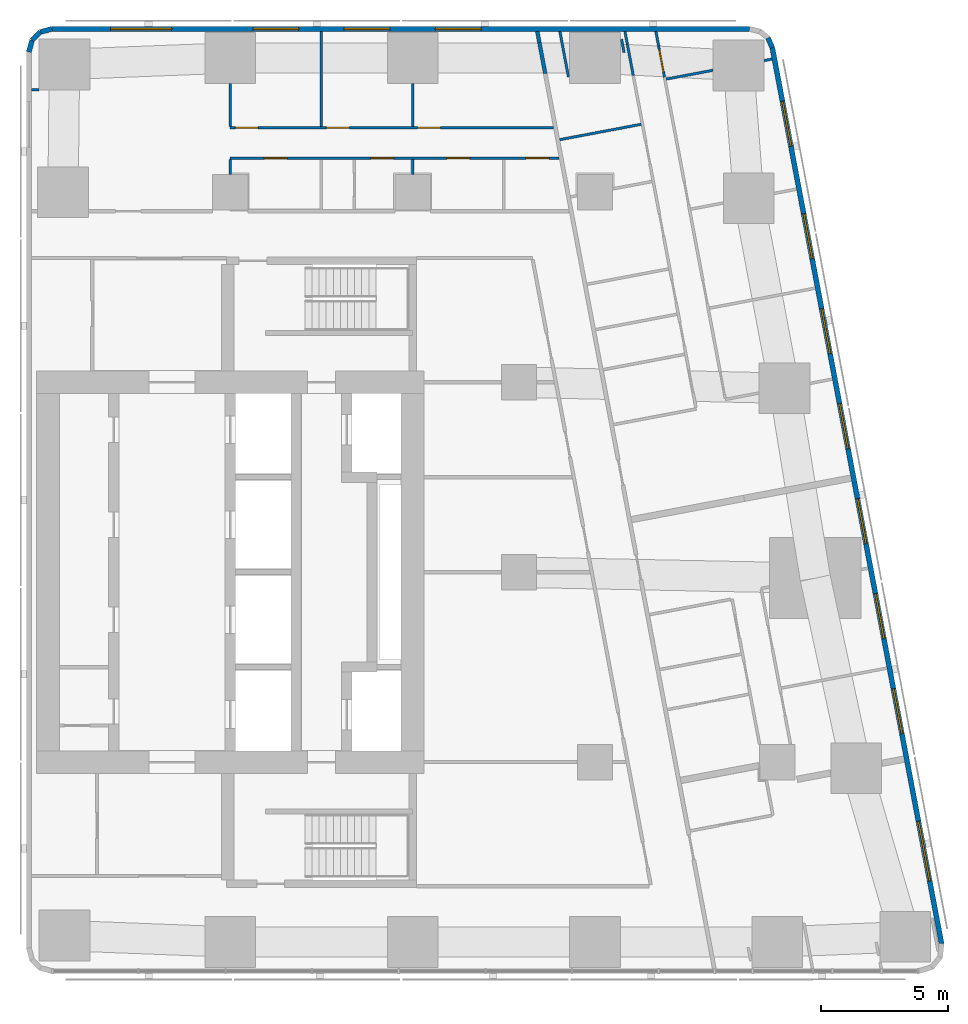
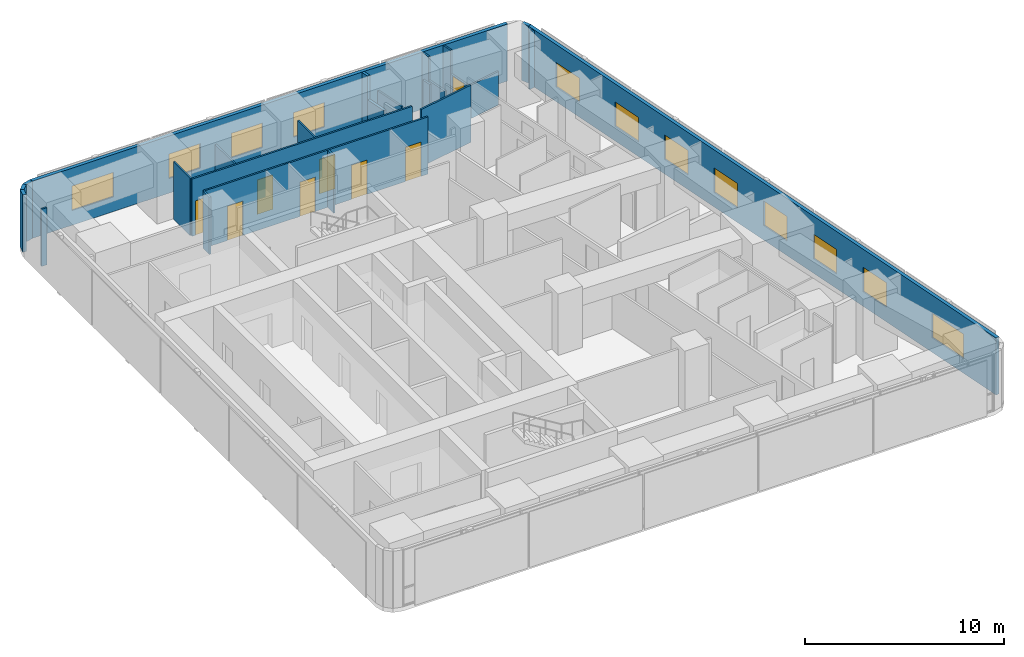
# One storey, part 8 of 11: 25 walls, 12 windows, 8 doors, 20 openings.
"""IFC4 building model written with IfcOpenShell, lengths in metres."""

from ifc_helpers import new_model, si_unit, direction, frame, frame_2d, origin, place, context, subcontext, project, spatial, rectangle, extrude, material, layer, layer_set, type_object, element, fill, save


model = new_model("IFC4")

# Units and contexts
model_context = context("Model", 3, precision=1e-05, world=origin(), true_north=direction((0.0, 1.0)))
body_context = subcontext(model_context, "Body", "Model", "MODEL_VIEW")
ifc_project = project(units=[si_unit("LENGTHUNIT", "METRE"), si_unit("AREAUNIT", "SQUARE_METRE"), si_unit("VOLUMEUNIT", "CUBIC_METRE"), si_unit("PLANEANGLEUNIT", "RADIAN"), si_unit("MASSUNIT", "GRAM", prefix="KILO")], contexts=[model_context])

# Site, building, storey
site_placement = place(None, origin())
site = spatial("IfcSite", under=ifc_project, at=site_placement, CompositionType="ELEMENT")
building_placement = place(site_placement, origin())
building = spatial("IfcBuilding", under=site, at=building_placement, Name="Sheger Commons Tower", CompositionType="ELEMENT")
storey_placement = place(building_placement, frame((0.0, 0.0, 262.85009765625)))
storey = spatial("IfcBuildingStorey", under=building, at=storey_placement, Name="L67", CompositionType="ELEMENT", Elevation=262.85009765625)

# Walls
ifc_material_1 = material(Name="Hollow concrete block masonry, skimmed both sides", Category="masonry")
ifc_layer_1 = layer(ifc_material_1, 0.14990234375)
ifc_layer_set_1 = layer_set([ifc_layer_1], Name="CORRIDOR WALL 150")
wall_type_1 = type_object("IfcWallType", Name="CORRIDOR WALL 150", PredefinedType="SOLIDWALL", material=ifc_layer_set_1)
wall_1_placement = place(storey_placement, frame((33.721923828125, 43.85009765625, 0.0), z_axis=(0.0, 0.0, 1.0), x_axis=(0.184886516626, -0.982759877066, 0.0)))
element("IfcWall", 1, at=wall_1_placement, inside=storey, type_object=wall_type_1, Name="Corridor wall L67", PredefinedType="SOLIDWALL", context=body_context, shape_type="SweptSolid", body=[
    extrude(rectangle(XDim=0.443603515625, YDim=0.14990234375, at=frame_2d((0.2216796875, 0.0))), origin(), (0.0, 0.0, 1.0), 3.5),
])
wall_2_placement = place(storey_placement, frame((33.803955078125, 43.4140625, 0.0), z_axis=(0.0, 0.0, 1.0), x_axis=(0.185585816539, -0.982628060204, 0.0)))
element("IfcWall", 2, at=wall_2_placement, inside=storey, type_object=wall_type_1, Name="Corridor wall L67", PredefinedType="SOLIDWALL", context=body_context, shape_type="SweptSolid", body=[
    extrude(rectangle(XDim=1.249755859375, YDim=0.14990234375, at=frame_2d((0.625, 0.0))), origin(), (0.0, 0.0, 1.0), 2.0498046875),
])

# Wall, openings, windows
ifc_material_2 = material(Name="Rendered concrete block masonry, dark grey", Category="masonry")
ifc_layer_2 = layer(ifc_material_2, 0.199951171875)
ifc_layer_set_2 = layer_set([ifc_layer_2], Name="FACADE WALL 200")
wall_type_2 = type_object("IfcWallType", Name="FACADE WALL 200", PredefinedType="SOLIDWALL", material=ifc_layer_set_2)
wall_3_placement = place(storey_placement, frame((49.68408203125, 7.83203125, 0.0), z_axis=(0.0, 0.0, 1.0), x_axis=(-0.185616669694, 0.982622232565, 0.0)))
wall_3 = element("IfcWall", 3, at=wall_3_placement, inside=storey, type_object=wall_type_2, Name="Facade wall L67", PredefinedType="SOLIDWALL", context=body_context, shape_type="SweptSolid", body=[
    extrude(rectangle(XDim=35.99951171875, YDim=0.199951171875, at=frame_2d((17.999755859375, 0.0))), origin(), (0.0, 0.0, 1.0), 3.5),
])
opening_1_placement = place(wall_3_placement, frame((2.51806640625, 0.0, 0.89990234375)))
opening_1 = element("IfcOpeningElement", 4, at=opening_1_placement, cuts=wall_3, Name="Opening W1", PredefinedType="OPENING", context=body_context, shape_type="SweptSolid", body=[
    extrude(rectangle(XDim=2.39990234375, YDim=1.5, at=frame_2d((1.199951171875, 0.75))), frame((0.0, 0.10986328125, 0.0), z_axis=(0.0, -1.0, 0.0), x_axis=(1.0, 0.0, 0.0)), (0.0, 0.0, 1.0), 0.219970703125),
])
opening_2_placement = place(wall_3_placement, frame((8.444091796875, 0.0, 0.89990234375)))
opening_2 = element("IfcOpeningElement", 5, at=opening_2_placement, cuts=wall_3, Name="Opening W2", PredefinedType="OPENING", context=body_context, shape_type="SweptSolid", body=[
    extrude(rectangle(XDim=1.800048828125, YDim=1.5, at=frame_2d((0.89990234375, 0.75))), frame((0.0, 0.10986328125, 0.0), z_axis=(0.0, -1.0, 0.0), x_axis=(1.0, 0.0, 0.0)), (0.0, 0.0, 1.0), 0.219970703125),
])
opening_3_placement = place(wall_3_placement, frame((12.260986328125, 0.0, 0.89990234375)))
opening_3 = element("IfcOpeningElement", 6, at=opening_3_placement, cuts=wall_3, Name="Opening W2", PredefinedType="OPENING", context=body_context, shape_type="SweptSolid", body=[
    extrude(rectangle(XDim=1.800048828125, YDim=1.5, at=frame_2d((0.89990234375, 0.75))), frame((0.0, 0.10986328125, 0.0), z_axis=(0.0, -1.0, 0.0), x_axis=(1.0, 0.0, 0.0)), (0.0, 0.0, 1.0), 0.219970703125),
])
opening_4_placement = place(wall_3_placement, frame((16.077880859375, 0.0, 0.89990234375)))
opening_4 = element("IfcOpeningElement", 7, at=opening_4_placement, cuts=wall_3, Name="Opening W2", PredefinedType="OPENING", context=body_context, shape_type="SweptSolid", body=[
    extrude(rectangle(XDim=1.800048828125, YDim=1.5, at=frame_2d((0.89990234375, 0.75))), frame((0.0, 0.10986328125, 0.0), z_axis=(0.0, -1.0, 0.0), x_axis=(1.0, 0.0, 0.0)), (0.0, 0.0, 1.0), 0.219970703125),
])
opening_5_placement = place(wall_3_placement, frame((19.89404296875, 0.0, 0.89990234375)))
opening_5 = element("IfcOpeningElement", 8, at=opening_5_placement, cuts=wall_3, Name="Opening W2", PredefinedType="OPENING", context=body_context, shape_type="SweptSolid", body=[
    extrude(rectangle(XDim=1.800048828125, YDim=1.5, at=frame_2d((0.89990234375, 0.75))), frame((0.0, 0.10986328125, 0.0), z_axis=(0.0, -1.0, 0.0), x_axis=(1.0, 0.0, 0.0)), (0.0, 0.0, 1.0), 0.219970703125),
])
opening_6_placement = place(wall_3_placement, frame((23.7099609375, 0.0, 0.89990234375)))
opening_6 = element("IfcOpeningElement", 9, at=opening_6_placement, cuts=wall_3, Name="Opening W2", PredefinedType="OPENING", context=body_context, shape_type="SweptSolid", body=[
    extrude(rectangle(XDim=1.800048828125, YDim=1.5, at=frame_2d((0.89990234375, 0.75))), frame((0.0, 0.10986328125, 0.0), z_axis=(0.0, -1.0, 0.0), x_axis=(1.0, 0.0, 0.0)), (0.0, 0.0, 1.0), 0.219970703125),
])
opening_7_placement = place(wall_3_placement, frame((27.52587890625, 0.0, 0.89990234375)))
opening_7 = element("IfcOpeningElement", 10, at=opening_7_placement, cuts=wall_3, Name="Opening W2", PredefinedType="OPENING", context=body_context, shape_type="SweptSolid", body=[
    extrude(rectangle(XDim=1.800048828125, YDim=1.5, at=frame_2d((0.89990234375, 0.75))), frame((0.0, 0.10986328125, 0.0), z_axis=(0.0, -1.0, 0.0), x_axis=(1.0, 0.0, 0.0)), (0.0, 0.0, 1.0), 0.219970703125),
])
opening_8_placement = place(wall_3_placement, frame((32.0458984375, 0.0, 0.89990234375)))
opening_8 = element("IfcOpeningElement", 11, at=opening_8_placement, cuts=wall_3, Name="Opening W2", PredefinedType="OPENING", context=body_context, shape_type="SweptSolid", body=[
    extrude(rectangle(XDim=1.800048828125, YDim=1.5, at=frame_2d((0.89990234375, 0.75))), frame((0.0, 0.10986328125, 0.0), z_axis=(0.0, -1.0, 0.0), x_axis=(1.0, 0.0, 0.0)), (0.0, 0.0, 1.0), 0.219970703125),
])
ifc_material_3 = material(Name="Black aluminium frame, dark tinted double glazing", Category="aluminium")
window_type_1 = type_object("IfcWindowType", Name="WINDOW W1 2400x1500", PartitioningType="SINGLE_PANEL", PredefinedType="WINDOW", material=ifc_material_3)
window_1_placement = place(opening_1_placement, origin())
window_1 = element("IfcWindow", 12, at=window_1_placement, inside=storey, type_object=window_type_1, Name="Window W1 2400X1500", OverallHeight=1.5, OverallWidth=2.39990234375, PartitioningType="SINGLE_PANEL", PredefinedType="WINDOW", context=body_context, shape_type="SweptSolid", body=[
    extrude(rectangle(XDim=2.39990234375, YDim=1.5, at=frame_2d((1.199951171875, 0.75))), frame((0.0, 0.030029296875, 0.0), z_axis=(0.0, -1.0, 0.0), x_axis=(1.0, 0.0, 0.0)), (0.0, 0.0, 1.0), 0.06005859375),
])
fill(opening_1, window_1)
ifc_material_4 = material(Name="Black aluminium frame, dark tinted double glazing", Category="aluminium")
window_type_2 = type_object("IfcWindowType", Name="WINDOW W2 1800x1500", PartitioningType="SINGLE_PANEL", PredefinedType="WINDOW", material=ifc_material_4)
window_2_placement = place(opening_2_placement, origin())
window_2 = element("IfcWindow", 13, at=window_2_placement, inside=storey, type_object=window_type_2, Name="Window W2 1800X1500", OverallHeight=1.5, OverallWidth=1.800048828125, PartitioningType="SINGLE_PANEL", PredefinedType="WINDOW", context=body_context, shape_type="SweptSolid", body=[
    extrude(rectangle(XDim=1.800048828125, YDim=1.5, at=frame_2d((0.89990234375, 0.75))), frame((0.0, 0.030029296875, 0.0), z_axis=(0.0, -1.0, 0.0), x_axis=(1.0, 0.0, 0.0)), (0.0, 0.0, 1.0), 0.06005859375),
])
fill(opening_2, window_2)
window_3_placement = place(opening_3_placement, origin())
window_3 = element("IfcWindow", 14, at=window_3_placement, inside=storey, type_object=window_type_2, Name="Window W2 1800X1500", OverallHeight=1.5, OverallWidth=1.800048828125, PartitioningType="SINGLE_PANEL", PredefinedType="WINDOW", context=body_context, shape_type="SweptSolid", body=[
    extrude(rectangle(XDim=1.800048828125, YDim=1.5, at=frame_2d((0.89990234375, 0.75))), frame((0.0, 0.030029296875, 0.0), z_axis=(0.0, -1.0, 0.0), x_axis=(1.0, 0.0, 0.0)), (0.0, 0.0, 1.0), 0.06005859375),
])
fill(opening_3, window_3)
window_4_placement = place(opening_4_placement, origin())
window_4 = element("IfcWindow", 15, at=window_4_placement, inside=storey, type_object=window_type_2, Name="Window W2 1800X1500", OverallHeight=1.5, OverallWidth=1.800048828125, PartitioningType="SINGLE_PANEL", PredefinedType="WINDOW", context=body_context, shape_type="SweptSolid", body=[
    extrude(rectangle(XDim=1.800048828125, YDim=1.5, at=frame_2d((0.89990234375, 0.75))), frame((0.0, 0.030029296875, 0.0), z_axis=(0.0, -1.0, 0.0), x_axis=(1.0, 0.0, 0.0)), (0.0, 0.0, 1.0), 0.06005859375),
])
fill(opening_4, window_4)
window_5_placement = place(opening_5_placement, origin())
window_5 = element("IfcWindow", 16, at=window_5_placement, inside=storey, type_object=window_type_2, Name="Window W2 1800X1500", OverallHeight=1.5, OverallWidth=1.800048828125, PartitioningType="SINGLE_PANEL", PredefinedType="WINDOW", context=body_context, shape_type="SweptSolid", body=[
    extrude(rectangle(XDim=1.800048828125, YDim=1.5, at=frame_2d((0.89990234375, 0.75))), frame((0.0, 0.030029296875, 0.0), z_axis=(0.0, -1.0, 0.0), x_axis=(1.0, 0.0, 0.0)), (0.0, 0.0, 1.0), 0.06005859375),
])
fill(opening_5, window_5)
window_6_placement = place(opening_6_placement, origin())
window_6 = element("IfcWindow", 17, at=window_6_placement, inside=storey, type_object=window_type_2, Name="Window W2 1800X1500", OverallHeight=1.5, OverallWidth=1.800048828125, PartitioningType="SINGLE_PANEL", PredefinedType="WINDOW", context=body_context, shape_type="SweptSolid", body=[
    extrude(rectangle(XDim=1.800048828125, YDim=1.5, at=frame_2d((0.89990234375, 0.75))), frame((0.0, 0.030029296875, 0.0), z_axis=(0.0, -1.0, 0.0), x_axis=(1.0, 0.0, 0.0)), (0.0, 0.0, 1.0), 0.06005859375),
])
fill(opening_6, window_6)
window_7_placement = place(opening_7_placement, origin())
window_7 = element("IfcWindow", 18, at=window_7_placement, inside=storey, type_object=window_type_2, Name="Window W2 1800X1500", OverallHeight=1.5, OverallWidth=1.800048828125, PartitioningType="SINGLE_PANEL", PredefinedType="WINDOW", context=body_context, shape_type="SweptSolid", body=[
    extrude(rectangle(XDim=1.800048828125, YDim=1.5, at=frame_2d((0.89990234375, 0.75))), frame((0.0, 0.030029296875, 0.0), z_axis=(0.0, -1.0, 0.0), x_axis=(1.0, 0.0, 0.0)), (0.0, 0.0, 1.0), 0.06005859375),
])
fill(opening_7, window_7)
window_8_placement = place(opening_8_placement, origin())
window_8 = element("IfcWindow", 19, at=window_8_placement, inside=storey, type_object=window_type_2, Name="Window W2 1800X1500", OverallHeight=1.5, OverallWidth=1.800048828125, PartitioningType="SINGLE_PANEL", PredefinedType="WINDOW", context=body_context, shape_type="SweptSolid", body=[
    extrude(rectangle(XDim=1.800048828125, YDim=1.5, at=frame_2d((0.89990234375, 0.75))), frame((0.0, 0.030029296875, 0.0), z_axis=(0.0, -1.0, 0.0), x_axis=(1.0, 0.0, 0.0)), (0.0, 0.0, 1.0), 0.06005859375),
])
fill(opening_8, window_8)

# Wall
wall_4_placement = place(storey_placement, frame((43.001953125, 43.2060546875, 0.0), z_axis=(0.0, 0.0, 1.0), x_axis=(-0.40678170573, 0.913525393124, 0.0)))
element("IfcWall", 20, at=wall_4_placement, inside=storey, type_object=wall_type_2, Name="Facade wall L67", PredefinedType="SOLIDWALL", context=body_context, shape_type="SweptSolid", body=[
    extrude(rectangle(XDim=0.422607421875, YDim=0.199951171875, at=frame_2d((0.21142578125, 0.0))), origin(), (0.0, 0.0, 1.0), 3.5),
])

# Wall, openings, windows
wall_5_placement = place(storey_placement, frame((42.10302734375, 43.949951171875, 0.0), z_axis=(0.0, 0.0, 1.0), x_axis=(-1.0, 0.0, 0.0)))
wall_5 = element("IfcWall", 21, at=wall_5_placement, inside=storey, type_object=wall_type_2, Name="Facade wall L67", PredefinedType="SOLIDWALL", context=body_context, shape_type="SweptSolid", body=[
    extrude(rectangle(XDim=27.5400390625, YDim=0.199951171875, at=frame_2d((13.77001953125, 0.0))), origin(), (0.0, 0.0, 1.0), 3.5),
])
opening_9_placement = place(wall_5_placement, frame((10.60302734375, 0.0, 0.89990234375)))
opening_9 = element("IfcOpeningElement", 22, at=opening_9_placement, cuts=wall_5, Name="Opening W2", PredefinedType="OPENING", context=body_context, shape_type="SweptSolid", body=[
    extrude(rectangle(XDim=1.800048828125, YDim=1.5, at=frame_2d((0.89990234375, 0.75))), frame((0.0, 0.10986328125, 0.0), z_axis=(0.0, -1.0, 0.0), x_axis=(1.0, 0.0, 0.0)), (0.0, 0.0, 1.0), 0.219970703125),
])
opening_10_placement = place(wall_5_placement, frame((14.202880859375, 0.0, 0.89990234375)))
opening_10 = element("IfcOpeningElement", 23, at=opening_10_placement, cuts=wall_5, Name="Opening W2", PredefinedType="OPENING", context=body_context, shape_type="SweptSolid", body=[
    extrude(rectangle(XDim=1.800048828125, YDim=1.5, at=frame_2d((0.89990234375, 0.75))), frame((0.0, 0.10986328125, 0.0), z_axis=(0.0, -1.0, 0.0), x_axis=(1.0, 0.0, 0.0)), (0.0, 0.0, 1.0), 0.219970703125),
])
opening_11_placement = place(wall_5_placement, frame((17.802978515625, 0.0, 0.89990234375)))
opening_11 = element("IfcOpeningElement", 24, at=opening_11_placement, cuts=wall_5, Name="Opening W2", PredefinedType="OPENING", context=body_context, shape_type="SweptSolid", body=[
    extrude(rectangle(XDim=1.800048828125, YDim=1.5, at=frame_2d((0.89990234375, 0.75))), frame((0.0, 0.10986328125, 0.0), z_axis=(0.0, -1.0, 0.0), x_axis=(1.0, 0.0, 0.0)), (0.0, 0.0, 1.0), 0.219970703125),
])
opening_12_placement = place(wall_5_placement, frame((22.822021484375, 0.0, 0.89990234375)))
opening_12 = element("IfcOpeningElement", 25, at=opening_12_placement, cuts=wall_5, Name="Opening W1", PredefinedType="OPENING", context=body_context, shape_type="SweptSolid", body=[
    extrude(rectangle(XDim=2.39990234375, YDim=1.5, at=frame_2d((1.199951171875, 0.75))), frame((0.0, 0.10986328125, 0.0), z_axis=(0.0, -1.0, 0.0), x_axis=(1.0, 0.0, 0.0)), (0.0, 0.0, 1.0), 0.219970703125),
])
window_9_placement = place(opening_12_placement, origin())
window_9 = element("IfcWindow", 26, at=window_9_placement, inside=storey, type_object=window_type_1, Name="Window W1 2400X1500", OverallHeight=1.5, OverallWidth=2.39990234375, PartitioningType="SINGLE_PANEL", PredefinedType="WINDOW", context=body_context, shape_type="SweptSolid", body=[
    extrude(rectangle(XDim=2.39990234375, YDim=1.5, at=frame_2d((1.199951171875, 0.75))), frame((0.0, 0.030029296875, 0.0), z_axis=(0.0, -1.0, 0.0), x_axis=(1.0, 0.0, 0.0)), (0.0, 0.0, 1.0), 0.06005859375),
])
fill(opening_12, window_9)
window_10_placement = place(opening_9_placement, origin())
window_10 = element("IfcWindow", 27, at=window_10_placement, inside=storey, type_object=window_type_2, Name="Window W2 1800X1500", OverallHeight=1.5, OverallWidth=1.800048828125, PartitioningType="SINGLE_PANEL", PredefinedType="WINDOW", context=body_context, shape_type="SweptSolid", body=[
    extrude(rectangle(XDim=1.800048828125, YDim=1.5, at=frame_2d((0.89990234375, 0.75))), frame((0.0, 0.030029296875, 0.0), z_axis=(0.0, -1.0, 0.0), x_axis=(1.0, 0.0, 0.0)), (0.0, 0.0, 1.0), 0.06005859375),
])
fill(opening_9, window_10)
window_11_placement = place(opening_10_placement, origin())
window_11 = element("IfcWindow", 28, at=window_11_placement, inside=storey, type_object=window_type_2, Name="Window W2 1800X1500", OverallHeight=1.5, OverallWidth=1.800048828125, PartitioningType="SINGLE_PANEL", PredefinedType="WINDOW", context=body_context, shape_type="SweptSolid", body=[
    extrude(rectangle(XDim=1.800048828125, YDim=1.5, at=frame_2d((0.89990234375, 0.75))), frame((0.0, 0.030029296875, 0.0), z_axis=(0.0, -1.0, 0.0), x_axis=(1.0, 0.0, 0.0)), (0.0, 0.0, 1.0), 0.06005859375),
])
fill(opening_10, window_11)
window_12_placement = place(opening_11_placement, origin())
window_12 = element("IfcWindow", 29, at=window_12_placement, inside=storey, type_object=window_type_2, Name="Window W2 1800X1500", OverallHeight=1.5, OverallWidth=1.800048828125, PartitioningType="SINGLE_PANEL", PredefinedType="WINDOW", context=body_context, shape_type="SweptSolid", body=[
    extrude(rectangle(XDim=1.800048828125, YDim=1.5, at=frame_2d((0.89990234375, 0.75))), frame((0.0, 0.030029296875, 0.0), z_axis=(0.0, -1.0, 0.0), x_axis=(1.0, 0.0, 0.0)), (0.0, 0.0, 1.0), 0.06005859375),
])
fill(opening_11, window_12)

# Walls
wall_6_placement = place(storey_placement, frame((14.56298828125, 43.949951171875, 0.0), z_axis=(0.0, 0.0, 1.0), x_axis=(-0.965655254015, -0.259826731483, 0.0)))
element("IfcWall", 30, at=wall_6_placement, inside=storey, type_object=wall_type_2, Name="Facade wall L67", PredefinedType="SOLIDWALL", context=body_context, shape_type="SweptSolid", body=[
    extrude(rectangle(XDim=0.477294921875, YDim=0.199951171875, at=frame_2d((0.23876953125, 0.0))), origin(), (0.0, 0.0, 1.0), 3.5),
])
wall_7_placement = place(storey_placement, frame((14.10205078125, 43.825927734375, 0.0), z_axis=(0.0, 0.0, 1.0), x_axis=(-0.707369890659, -0.706843573776, 0.0)))
element("IfcWall", 31, at=wall_7_placement, inside=storey, type_object=wall_type_2, Name="Facade wall L67", PredefinedType="SOLIDWALL", context=body_context, shape_type="SweptSolid", body=[
    extrude(rectangle(XDim=0.4638671875, YDim=0.199951171875, at=frame_2d((0.23193359375, 0.0))), origin(), (0.0, 0.0, 1.0), 3.5),
])
wall_8_placement = place(storey_placement, frame((13.77392578125, 43.498046875, 0.0), z_axis=(0.0, 0.0, 1.0), x_axis=(-0.259826731483, -0.965655254015, 0.0)))
element("IfcWall", 32, at=wall_8_placement, inside=storey, type_object=wall_type_2, Name="Facade wall L67", PredefinedType="SOLIDWALL", context=body_context, shape_type="SweptSolid", body=[
    extrude(rectangle(XDim=0.477294921875, YDim=0.199951171875, at=frame_2d((0.23876953125, 0.0))), origin(), (0.0, 0.0, 1.0), 3.5),
])
ifc_material_5 = material(Name="Gypsum board on steel studs", Category="steel")
ifc_layer_3 = layer(ifc_material_5, 0.10009765625)
ifc_layer_set_3 = layer_set([ifc_layer_3], Name="PARTITION 100")
wall_type_3 = type_object("IfcWallType", Name="PARTITION 100", PredefinedType="PARTITIONING", material=ifc_layer_set_3)
wall_9_placement = place(storey_placement, frame((34.951904296875, 42.054931640625, 0.0), z_axis=(0.0, 0.0, 1.0), x_axis=(-0.185490642006, 0.98264603074, 0.0)))
element("IfcWall", 33, at=wall_9_placement, inside=storey, type_object=wall_type_3, Name="Partition L67", PredefinedType="PARTITIONING", context=body_context, shape_type="SweptSolid", body=[
    extrude(rectangle(XDim=1.826904296875, YDim=0.10009765625, at=frame_2d((0.91357421875, 0.0))), origin(), (0.0, 0.0, 1.0), 2.0498046875),
])
wall_10_placement = place(storey_placement, frame((37.049072265625, 43.5390625, 0.0), z_axis=(0.0, 0.0, 1.0), x_axis=(0.186119495745, -0.982527115811, 0.0)))
element("IfcWall", 34, at=wall_10_placement, inside=storey, type_object=wall_type_3, Name="Partition L67", PredefinedType="PARTITIONING", context=body_context, shape_type="SweptSolid", body=[
    extrude(rectangle(XDim=0.53125, YDim=0.10009765625, at=frame_2d((0.265625, 0.0))), origin(), (0.0, 0.0, 1.0), 2.0498046875),
])
wall_11_placement = place(storey_placement, frame((38.403076171875, 43.85009765625, 0.0), z_axis=(0.0, 0.0, 1.0), x_axis=(0.184976954078, -0.982742858768, 0.0)))
element("IfcWall", 35, at=wall_11_placement, inside=storey, type_object=wall_type_3, Name="Partition L67", PredefinedType="PARTITIONING", context=body_context, shape_type="SweptSolid", body=[
    extrude(rectangle(XDim=0.578125, YDim=0.10009765625, at=frame_2d((0.2890625, 0.0))), origin(), (0.0, 0.0, 1.0), 3.5),
])

# Wall, opening, door
wall_12_placement = place(storey_placement, frame((38.510009765625, 43.281982421875, 0.0), z_axis=(0.0, 0.0, 1.0), x_axis=(0.185775287495, -0.982592256511, 0.0)))
wall_12 = element("IfcWall", 36, at=wall_12_placement, inside=storey, type_object=wall_type_3, Name="Partition L67", PredefinedType="PARTITIONING", context=body_context, shape_type="SweptSolid", body=[
    extrude(rectangle(XDim=1.259033203125, YDim=0.10009765625, at=frame_2d((0.62939453125, 0.0))), origin(), (0.0, 0.0, 1.0), 2.0498046875),
])
opening_13_placement = place(wall_12_placement, frame((0.14990234375, 0.0, 0.0)))
opening_13 = element("IfcOpeningElement", 37, at=opening_13_placement, cuts=wall_12, Name="Opening D11", PredefinedType="OPENING", context=body_context, shape_type="SweptSolid", body=[
    extrude(rectangle(XDim=0.89990234375, YDim=2.0, at=frame_2d((0.449951171875, 1.0))), frame((0.0, 0.06005859375, 0.0), z_axis=(0.0, -1.0, 0.0), x_axis=(1.0, 0.0, 0.0)), (0.0, 0.0, 1.0), 0.1201171875),
])
ifc_material_6 = material(Name="Timber door set", Category="wood")
door_type_1 = type_object("IfcDoorType", Name="INTERNAL DOOR 900x2000", OperationType="NOTDEFINED", PredefinedType="DOOR", material=ifc_material_6)
door_1_placement = place(opening_13_placement, origin())
door_1 = element("IfcDoor", 38, at=door_1_placement, inside=storey, type_object=door_type_1, Name="Dressing room door", OperationType="SINGLE_SWING_LEFT", OverallHeight=2.0, OverallWidth=0.89990234375, PredefinedType="DOOR", context=body_context, shape_type="SweptSolid", body=[
    extrude(rectangle(XDim=0.89990234375, YDim=2.0, at=frame_2d((0.449951171875, 1.0))), frame((0.0, 0.02490234375, 0.0), z_axis=(0.0, -1.0, 0.0), x_axis=(1.0, 0.0, 0.0)), (0.0, 0.0, 1.0), 0.050048828125),
])
fill(opening_13, door_1)

# Walls
wall_13_placement = place(storey_placement, frame((37.181884765625, 43.85009765625, 0.0), z_axis=(0.0, 0.0, 1.0), x_axis=(0.18558124934, -0.982628922785, 0.0)))
element("IfcWall", 39, at=wall_13_placement, inside=storey, type_object=wall_type_3, Name="Partition L67", PredefinedType="PARTITIONING", context=body_context, shape_type="SweptSolid", body=[
    extrude(rectangle(XDim=0.51318359375, YDim=0.10009765625, at=frame_2d((0.256591796875, 0.0))), origin(), (0.0, 0.0, 1.0), 3.5),
])
wall_14_placement = place(storey_placement, frame((37.277099609375, 43.345947265625, 0.0), z_axis=(0.0, 0.0, 1.0), x_axis=(0.185775287495, -0.982592256511, 0.0)))
element("IfcWall", 40, at=wall_14_placement, inside=storey, type_object=wall_type_3, Name="Partition L67", PredefinedType="PARTITIONING", context=body_context, shape_type="SweptSolid", body=[
    extrude(rectangle(XDim=1.259033203125, YDim=0.10009765625, at=frame_2d((0.62939453125, 0.0))), origin(), (0.0, 0.0, 1.0), 2.0498046875),
])
wall_15_placement = place(storey_placement, frame((42.985107421875, 42.7548828125, 0.0), z_axis=(0.0, 0.0, 1.0), x_axis=(-0.98281924824, -0.184570651215, 0.0)))
element("IfcWall", 41, at=wall_15_placement, inside=storey, type_object=wall_type_3, Name="Partition L67", PredefinedType="PARTITIONING", context=body_context, shape_type="SweptSolid", body=[
    extrude(rectangle(XDim=0.3134765625, YDim=0.10009765625, at=frame_2d((0.15673828125, 0.0))), origin(), (0.0, 0.0, 1.0), 3.5),
])
wall_16_placement = place(storey_placement, frame((40.656982421875, 42.31494140625, 0.0), z_axis=(0.0, 0.0, 1.0), x_axis=(-0.982622785543, -0.185613742305, 0.0)))
element("IfcWall", 42, at=wall_16_placement, inside=storey, type_object=wall_type_3, Name="Partition L67", PredefinedType="PARTITIONING", context=body_context, shape_type="SweptSolid", body=[
    extrude(rectangle(XDim=1.879638671875, YDim=0.10009765625, at=frame_2d((0.93994140625, 0.0))), origin(), (0.0, 0.0, 1.0), 2.0498046875),
])
wall_17_placement = place(storey_placement, frame((37.823974609375, 40.181884765625, 0.0), z_axis=(0.0, 0.0, 1.0), x_axis=(-0.982674977865, -0.185337227447, 0.0)))
element("IfcWall", 43, at=wall_17_placement, inside=storey, type_object=wall_type_3, Name="Partition L67", PredefinedType="PARTITIONING", context=body_context, shape_type="SweptSolid", body=[
    extrude(rectangle(XDim=3.274658203125, YDim=0.10009765625, at=frame_2d((1.63720703125, 0.0))), origin(), (0.0, 0.0, 1.0), 3.5),
])
wall_18_placement = place(storey_placement, frame((14.053955078125, 41.5458984375, 0.0), z_axis=(0.0, 0.0, 1.0), x_axis=(-1.0, 0.0, 0.0)))
element("IfcWall", 44, at=wall_18_placement, inside=storey, type_object=wall_type_3, Name="Partition L67", PredefinedType="PARTITIONING", context=body_context, shape_type="SweptSolid", body=[
    extrude(rectangle(XDim=0.303955078125, YDim=0.10009765625, at=frame_2d((0.15185546875, 0.0))), origin(), (0.0, 0.0, 1.0), 3.5),
])

# Wall, openings, doors
wall_19_placement = place(storey_placement, frame((21.60009765625, 40.050048828125, 0.0), z_axis=(0.0, 0.0, 1.0), x_axis=(1.0, 0.0, 0.0)))
wall_19 = element("IfcWall", 45, at=wall_19_placement, inside=storey, type_object=wall_type_3, Name="Partition L67", PredefinedType="PARTITIONING", context=body_context, shape_type="SweptSolid", body=[
    extrude(rectangle(XDim=12.75390625, YDim=0.10009765625, at=frame_2d((6.376953125, 0.0))), origin(), (0.0, 0.0, 1.0), 3.5),
])
opening_14_placement = place(wall_19_placement, frame((0.199951171875, 0.0, 0.0)))
opening_14 = element("IfcOpeningElement", 46, at=opening_14_placement, cuts=wall_19, Name="Opening D2", PredefinedType="OPENING", context=body_context, shape_type="SweptSolid", body=[
    extrude(rectangle(XDim=0.89990234375, YDim=2.10009765625, at=frame_2d((0.449951171875, 1.050048828125))), frame((0.0, 0.06005859375, 0.0), z_axis=(0.0, -1.0, 0.0), x_axis=(1.0, 0.0, 0.0)), (0.0, 0.0, 1.0), 0.1201171875),
])
opening_15_placement = place(wall_19_placement, frame((3.800048828125, 0.0, 0.0)))
opening_15 = element("IfcOpeningElement", 47, at=opening_15_placement, cuts=wall_19, Name="Opening D2", PredefinedType="OPENING", context=body_context, shape_type="SweptSolid", body=[
    extrude(rectangle(XDim=0.89990234375, YDim=2.10009765625, at=frame_2d((0.449951171875, 1.050048828125))), frame((0.0, 0.06005859375, 0.0), z_axis=(0.0, -1.0, 0.0), x_axis=(1.0, 0.0, 0.0)), (0.0, 0.0, 1.0), 0.1201171875),
])
opening_16_placement = place(wall_19_placement, frame((7.39990234375, 0.0, 0.0)))
opening_16 = element("IfcOpeningElement", 48, at=opening_16_placement, cuts=wall_19, Name="Opening D2", PredefinedType="OPENING", context=body_context, shape_type="SweptSolid", body=[
    extrude(rectangle(XDim=0.89990234375, YDim=2.10009765625, at=frame_2d((0.449951171875, 1.050048828125))), frame((0.0, 0.06005859375, 0.0), z_axis=(0.0, -1.0, 0.0), x_axis=(1.0, 0.0, 0.0)), (0.0, 0.0, 1.0), 0.1201171875),
])
ifc_material_7 = material(Name="Timber door set", Category="wood")
door_type_2 = type_object("IfcDoorType", Name="INTERNAL DOOR 900x2100", OperationType="NOTDEFINED", PredefinedType="DOOR", material=ifc_material_7)
door_2_placement = place(opening_14_placement, origin())
door_2 = element("IfcDoor", 49, at=door_2_placement, inside=storey, type_object=door_type_2, Name="Main bedroom door", OperationType="SINGLE_SWING_LEFT", OverallHeight=2.10009765625, OverallWidth=0.89990234375, PredefinedType="DOOR", context=body_context, shape_type="SweptSolid", body=[
    extrude(rectangle(XDim=0.89990234375, YDim=2.10009765625, at=frame_2d((0.449951171875, 1.050048828125))), frame((0.0, 0.02490234375, 0.0), z_axis=(0.0, -1.0, 0.0), x_axis=(1.0, 0.0, 0.0)), (0.0, 0.0, 1.0), 0.050048828125),
])
fill(opening_14, door_2)
door_3_placement = place(opening_15_placement, origin())
door_3 = element("IfcDoor", 50, at=door_3_placement, inside=storey, type_object=door_type_2, Name="Bedroom 2 door", OperationType="SINGLE_SWING_LEFT", OverallHeight=2.10009765625, OverallWidth=0.89990234375, PredefinedType="DOOR", context=body_context, shape_type="SweptSolid", body=[
    extrude(rectangle(XDim=0.89990234375, YDim=2.10009765625, at=frame_2d((0.449951171875, 1.050048828125))), frame((0.0, 0.02490234375, 0.0), z_axis=(0.0, -1.0, 0.0), x_axis=(1.0, 0.0, 0.0)), (0.0, 0.0, 1.0), 0.050048828125),
])
fill(opening_15, door_3)
door_4_placement = place(opening_16_placement, origin())
door_4 = element("IfcDoor", 51, at=door_4_placement, inside=storey, type_object=door_type_2, Name="Bedroom 3 door", OperationType="SINGLE_SWING_LEFT", OverallHeight=2.10009765625, OverallWidth=0.89990234375, PredefinedType="DOOR", context=body_context, shape_type="SweptSolid", body=[
    extrude(rectangle(XDim=0.89990234375, YDim=2.10009765625, at=frame_2d((0.449951171875, 1.050048828125))), frame((0.0, 0.02490234375, 0.0), z_axis=(0.0, -1.0, 0.0), x_axis=(1.0, 0.0, 0.0)), (0.0, 0.0, 1.0), 0.050048828125),
])
fill(opening_16, door_4)

wall_20_placement = place(storey_placement, frame((21.60009765625, 38.85009765625, 0.0), z_axis=(0.0, 0.0, 1.0), x_axis=(1.0, 0.0, 0.0)))
wall_20 = element("IfcWall", 52, at=wall_20_placement, inside=storey, type_object=wall_type_3, Name="Partition L67", PredefinedType="PARTITIONING", context=body_context, shape_type="SweptSolid", body=[
    extrude(rectangle(XDim=12.98095703125, YDim=0.10009765625, at=frame_2d((6.490478515625, 0.0))), origin(), (0.0, 0.0, 1.0), 3.5),
])
opening_17_placement = place(wall_20_placement, frame((1.35009765625, 0.0, 0.0)))
opening_17 = element("IfcOpeningElement", 53, at=opening_17_placement, cuts=wall_20, Name="Opening D2", PredefinedType="OPENING", context=body_context, shape_type="SweptSolid", body=[
    extrude(rectangle(XDim=0.89990234375, YDim=2.10009765625, at=frame_2d((0.449951171875, 1.050048828125))), frame((0.0, 0.06005859375, 0.0), z_axis=(0.0, -1.0, 0.0), x_axis=(1.0, 0.0, 0.0)), (0.0, 0.0, 1.0), 0.1201171875),
])
opening_18_placement = place(wall_20_placement, frame((5.550048828125, 0.0, 0.0)))
opening_18 = element("IfcOpeningElement", 54, at=opening_18_placement, cuts=wall_20, Name="Opening D2", PredefinedType="OPENING", context=body_context, shape_type="SweptSolid", body=[
    extrude(rectangle(XDim=0.89990234375, YDim=2.10009765625, at=frame_2d((0.449951171875, 1.050048828125))), frame((0.0, 0.06005859375, 0.0), z_axis=(0.0, -1.0, 0.0), x_axis=(1.0, 0.0, 0.0)), (0.0, 0.0, 1.0), 0.1201171875),
])
opening_19_placement = place(wall_20_placement, frame((8.550048828125, 0.0, 0.0)))
opening_19 = element("IfcOpeningElement", 55, at=opening_19_placement, cuts=wall_20, Name="Opening D2", PredefinedType="OPENING", context=body_context, shape_type="SweptSolid", body=[
    extrude(rectangle(XDim=0.89990234375, YDim=2.10009765625, at=frame_2d((0.449951171875, 1.050048828125))), frame((0.0, 0.06005859375, 0.0), z_axis=(0.0, -1.0, 0.0), x_axis=(1.0, 0.0, 0.0)), (0.0, 0.0, 1.0), 0.1201171875),
])
opening_20_placement = place(wall_20_placement, frame((11.680908203125, 0.0, 0.0)))
opening_20 = element("IfcOpeningElement", 56, at=opening_20_placement, cuts=wall_20, Name="Opening D2", PredefinedType="OPENING", context=body_context, shape_type="SweptSolid", body=[
    extrude(rectangle(XDim=0.89990234375, YDim=2.10009765625, at=frame_2d((0.449951171875, 1.050048828125))), frame((0.0, 0.06005859375, 0.0), z_axis=(0.0, -1.0, 0.0), x_axis=(1.0, 0.0, 0.0)), (0.0, 0.0, 1.0), 0.1201171875),
])
door_5_placement = place(opening_17_placement, origin())
door_5 = element("IfcDoor", 57, at=door_5_placement, inside=storey, type_object=door_type_2, Name="Bathroom door", OperationType="SINGLE_SWING_RIGHT", OverallHeight=2.10009765625, OverallWidth=0.89990234375, PredefinedType="DOOR", context=body_context, shape_type="SweptSolid", body=[
    extrude(rectangle(XDim=0.89990234375, YDim=2.10009765625, at=frame_2d((0.449951171875, 1.050048828125))), frame((0.0, 0.02490234375, 0.0), z_axis=(0.0, -1.0, 0.0), x_axis=(1.0, 0.0, 0.0)), (0.0, 0.0, 1.0), 0.050048828125),
])
fill(opening_17, door_5)
door_6_placement = place(opening_18_placement, origin())
door_6 = element("IfcDoor", 58, at=door_6_placement, inside=storey, type_object=door_type_2, Name="Shower room door", OperationType="SINGLE_SWING_RIGHT", OverallHeight=2.10009765625, OverallWidth=0.89990234375, PredefinedType="DOOR", context=body_context, shape_type="SweptSolid", body=[
    extrude(rectangle(XDim=0.89990234375, YDim=2.10009765625, at=frame_2d((0.449951171875, 1.050048828125))), frame((0.0, 0.02490234375, 0.0), z_axis=(0.0, -1.0, 0.0), x_axis=(1.0, 0.0, 0.0)), (0.0, 0.0, 1.0), 0.050048828125),
])
fill(opening_18, door_6)
door_7_placement = place(opening_19_placement, origin())
door_7 = element("IfcDoor", 59, at=door_7_placement, inside=storey, type_object=door_type_2, Name="Laundry room door", OperationType="SINGLE_SWING_RIGHT", OverallHeight=2.10009765625, OverallWidth=0.89990234375, PredefinedType="DOOR", context=body_context, shape_type="SweptSolid", body=[
    extrude(rectangle(XDim=0.89990234375, YDim=2.10009765625, at=frame_2d((0.449951171875, 1.050048828125))), frame((0.0, 0.02490234375, 0.0), z_axis=(0.0, -1.0, 0.0), x_axis=(1.0, 0.0, 0.0)), (0.0, 0.0, 1.0), 0.050048828125),
])
fill(opening_19, door_7)
door_8_placement = place(opening_20_placement, origin())
door_8 = element("IfcDoor", 60, at=door_8_placement, inside=storey, type_object=door_type_2, Name="Store and laundry door", OperationType="SINGLE_SWING_LEFT", OverallHeight=2.10009765625, OverallWidth=0.89990234375, PredefinedType="DOOR", context=body_context, shape_type="SweptSolid", body=[
    extrude(rectangle(XDim=0.89990234375, YDim=2.10009765625, at=frame_2d((0.449951171875, 1.050048828125))), frame((0.0, 0.02490234375, 0.0), z_axis=(0.0, -1.0, 0.0), x_axis=(1.0, 0.0, 0.0)), (0.0, 0.0, 1.0), 0.050048828125),
])
fill(opening_20, door_8)

# Walls
wall_21_placement = place(storey_placement, frame((21.60009765625, 40.10009765625, 0.0), z_axis=(0.0, 0.0, 1.0), x_axis=(0.0, 1.0, 0.0)))
element("IfcWall", 61, at=wall_21_placement, inside=storey, type_object=wall_type_3, Name="Partition L67", PredefinedType="PARTITIONING", context=body_context, shape_type="SweptSolid", body=[
    extrude(rectangle(XDim=1.698974609375, YDim=0.10009765625, at=frame_2d((0.849609375, 0.0))), origin(), (0.0, 0.0, 1.0), 3.5),
])
wall_22_placement = place(storey_placement, frame((25.199951171875, 40.10009765625, 0.0), z_axis=(0.0, 0.0, 1.0), x_axis=(0.0, 1.0, 0.0)))
element("IfcWall", 62, at=wall_22_placement, inside=storey, type_object=wall_type_3, Name="Partition L67", PredefinedType="PARTITIONING", context=body_context, shape_type="SweptSolid", body=[
    extrude(rectangle(XDim=3.75, YDim=0.10009765625, at=frame_2d((1.875, 0.0))), origin(), (0.0, 0.0, 1.0), 2.0498046875),
])
wall_23_placement = place(storey_placement, frame((28.800048828125, 40.10009765625, 0.0), z_axis=(0.0, 0.0, 1.0), x_axis=(0.0, 1.0, 0.0)))
element("IfcWall", 63, at=wall_23_placement, inside=storey, type_object=wall_type_3, Name="Partition L67", PredefinedType="PARTITIONING", context=body_context, shape_type="SweptSolid", body=[
    extrude(rectangle(XDim=1.698974609375, YDim=0.10009765625, at=frame_2d((0.849609375, 0.0))), origin(), (0.0, 0.0, 1.0), 3.5),
])
for number, where, z_axis, x_axis, name in (
    (64, (21.60009765625, 38.200927734375, 0.0), (0.0, 0.0, 1.0), (0.0, 1.0, 0.0), "Partition L67"),
    (65, (28.800048828125, 38.200927734375, 0.0), (0.0, 0.0, 1.0), (0.0, 1.0, 0.0), "Partition L67"),
):
    element("IfcWall", number, at=place(storey_placement, frame(where, z_axis=z_axis, x_axis=x_axis)), inside=storey, type_object=wall_type_3, Name=name, PredefinedType="PARTITIONING", context=body_context, shape_type="SweptSolid", body=[
        extrude(rectangle(XDim=0.59912109375, YDim=0.10009765625, at=frame_2d((0.299560546875, 0.0))), origin(), (0.0, 0.0, 1.0), 3.5),
    ])

save(model, "model.ifc")
